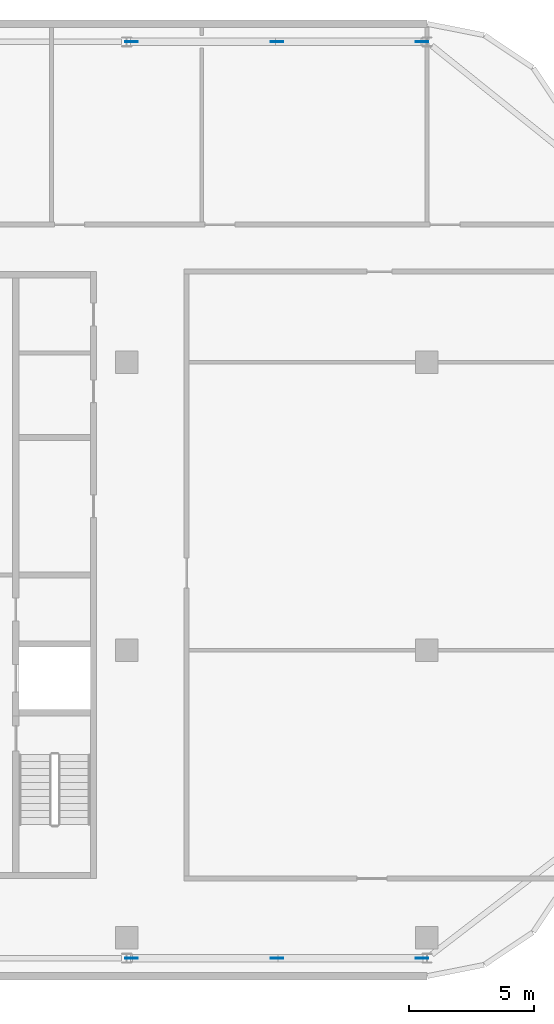
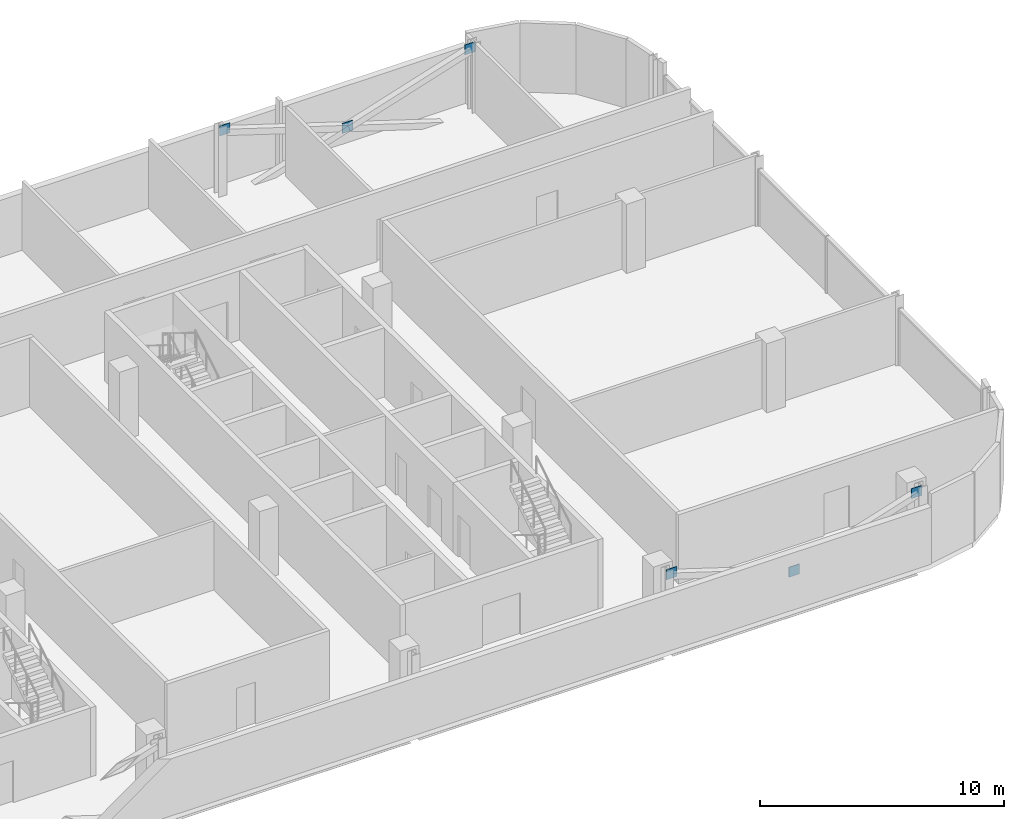
# One storey, part 24 of 29: 6 discrete accessories.
"""IFC4 building model written with IfcOpenShell, lengths in metres."""

from ifc_helpers import new_model, si_unit, direction, frame, origin, origin_2d, place, context, subcontext, project, spatial, rectangle, extrude, material, layer, layer_set, type_object, element, save


model = new_model("IFC4")

# Units and contexts
model_context = context("Model", 3, precision=1e-05, world=origin(), true_north=direction((0.0, 1.0)))
body_context = subcontext(model_context, "Body", "Model", "MODEL_VIEW")
ifc_project = project(units=[si_unit("LENGTHUNIT", "METRE"), si_unit("AREAUNIT", "SQUARE_METRE"), si_unit("VOLUMEUNIT", "CUBIC_METRE"), si_unit("PLANEANGLEUNIT", "RADIAN"), si_unit("MASSUNIT", "GRAM", prefix="KILO")], contexts=[model_context])

# Site, building, storey
site_placement = place(None, origin())
site = spatial("IfcSite", under=ifc_project, at=site_placement, CompositionType="ELEMENT")
building_placement = place(site_placement, origin())
building = spatial("IfcBuilding", under=site, at=building_placement, Name="Mahtab Terrace Research Tower", CompositionType="ELEMENT")
storey_placement = place(building_placement, frame((0.0, 0.0, 274.699951171875)))
storey = spatial("IfcBuildingStorey", under=building, at=storey_placement, Name="L67", CompositionType="ELEMENT", Elevation=274.699951171875)

# Discrete accessories
ifc_material = material(Name="Steel ASTM A992 Gr 50", Category="steel")
ifc_layer = layer(ifc_material, 0.030029296875)
ifc_layer_set = layer_set([ifc_layer], Name="Gusset plate 500x500x30")
discrete_accessory_type = type_object("IfcDiscreteAccessoryType", Name="Gusset plate 500x500x30", PredefinedType="USERDEFINED", material=ifc_layer_set)
for number, where, z_axis, x_axis, name in (
    (1, (30.197021484375, -12.306884765625, 2.906494140625), (0.0, 0.0, 1.0), (1.0, 0.0, 0.0), "Gusset plate"),
    (2, (30.197021484375, 24.306884765625, 2.906494140625), (0.0, 0.0, 1.0), (1.0, 0.0, 0.0), "Gusset plate"),
    (3, (36.0, -12.306884765625, 1.006591796875), (0.0, 0.0, 1.0), (1.0, 0.0, 0.0), "Gusset plate"),
    (4, (36.0, 24.306884765625, 1.006591796875), (0.0, 0.0, 1.0), (1.0, 0.0, 0.0), "Gusset plate"),
    (5, (41.80322265625, -12.306884765625, 2.906494140625), (0.0, 0.0, 1.0), (1.0, 0.0, 0.0), "Gusset plate"),
    (6, (41.80322265625, 24.306884765625, 2.906494140625), (0.0, 0.0, 1.0), (1.0, 0.0, 0.0), "Gusset plate"),
):
    element("IfcDiscreteAccessory", number, at=place(storey_placement, frame(where, z_axis=z_axis, x_axis=x_axis)), inside=storey, type_object=discrete_accessory_type, Name=name, ObjectType="GUSSET PLATE", PredefinedType="USERDEFINED", context=body_context, shape_type="SweptSolid", body=[
        extrude(rectangle(XDim=0.5, YDim=0.030029296875, at=origin_2d()), origin(), (0.0, 0.0, 1.0), 0.5),
    ])

save(model, "model.ifc")
